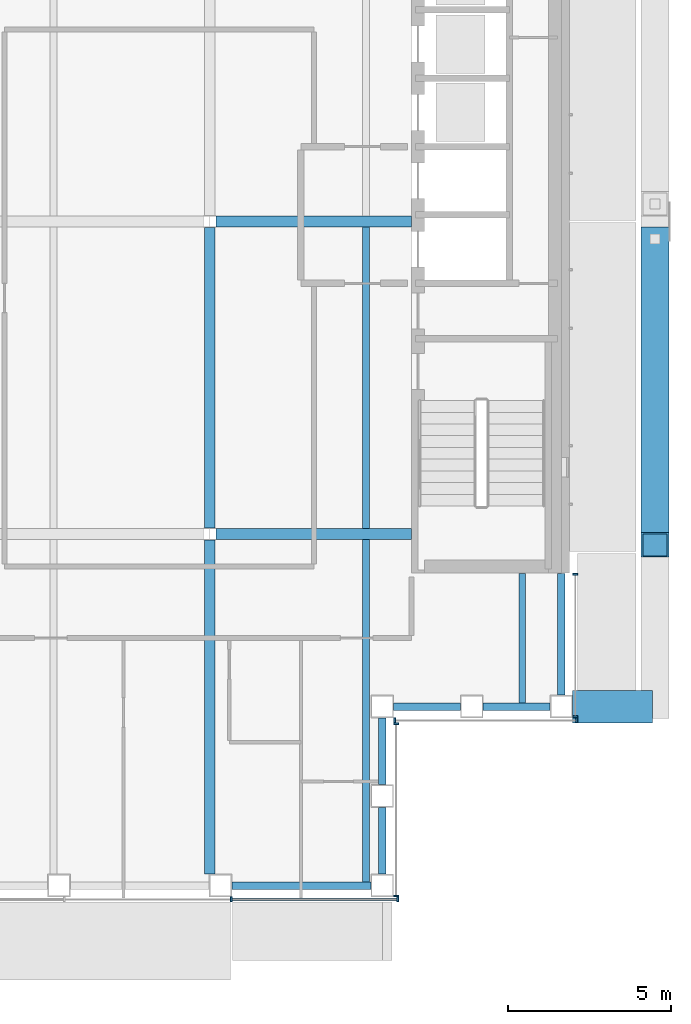
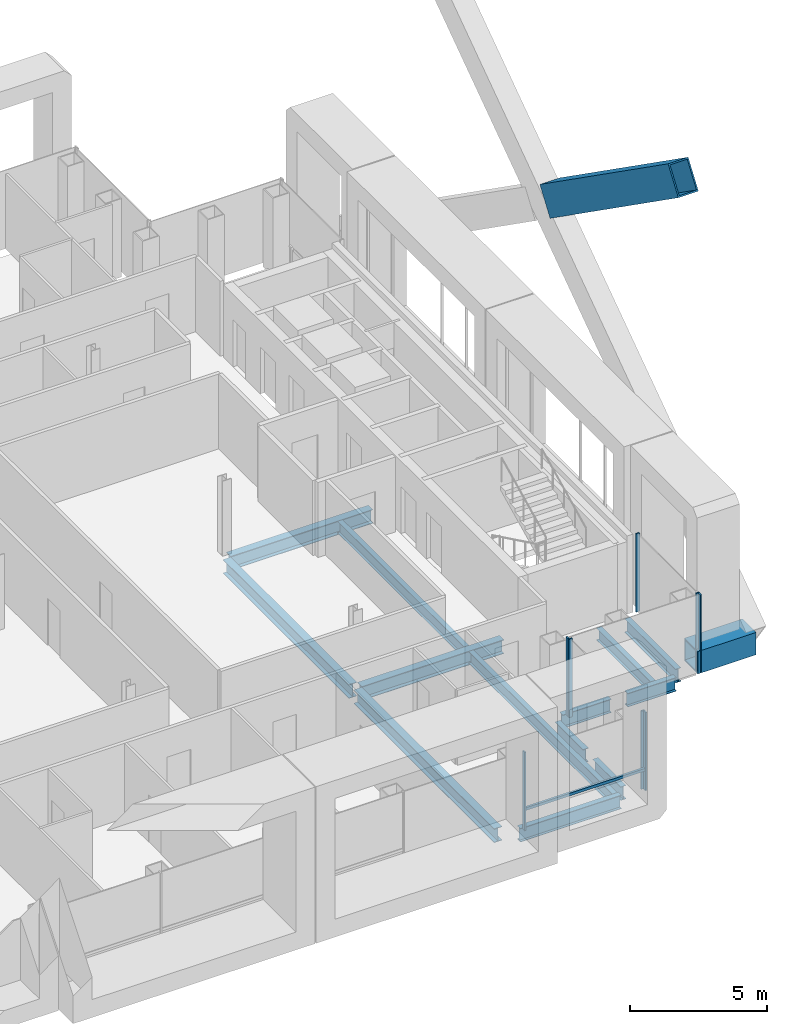
# One storey, part 6 of 21: 14 beams, 10 members, 4 elements without a shape of their own.
"""IFC4 building model written with IfcOpenShell, lengths in metres."""

import ifcopenshell
import ifcopenshell.guid

model = None  # the IFC model being written
_history = None  # IfcOwnerHistory: only IFC2X3 demands one
_inside = {}  # id of a spatial element -> (the spatial element, [elements in it])
_under = {}  # id of a project, library or spatial element -> (it, [spatial elements below it])
_declared = {}  # id of a project -> (the project, [libraries it declares])
_typed = {}  # id of a type object -> (the type object, [elements of that type])
_made_of = {}  # id of a material, layer set ... -> (it, [elements and type objects made of it])


def new_model(schema):
    """Start an empty IFC model of exactly this schema.

    Asked for "IFC4X3", IfcOpenShell would pick the latest addendum, in which some entities
    have other attributes; the version numbers below select the first issue.
    IFC2X3 requires an IfcOwnerHistory on every rooted entity: one is made here for all.
    """
    global model, _history
    if schema == "IFC4X3":
        model = ifcopenshell.file(schema_version=(4, 3, 0, 0))
    else:
        model = ifcopenshell.file(schema=schema)
    _inside.clear()
    _under.clear()
    _declared.clear()
    _typed.clear()
    _made_of.clear()
    _history = None
    if model.schema == "IFC2X3":
        org = make("IfcOrganization", Name="unknown")
        user = make(
            "IfcPersonAndOrganization",
            ThePerson=make("IfcPerson", FamilyName="unknown"),
            TheOrganization=org,
        )
        app = make(
            "IfcApplication",
            ApplicationDeveloper=org,
            Version="unknown",
            ApplicationFullName="unknown",
            ApplicationIdentifier="unknown",
        )
        _history = make(
            "IfcOwnerHistory",
            OwningUser=user,
            OwningApplication=app,
            ChangeAction="ADDED",
            CreationDate=0,
        )
    return model


def make(cls, **values):
    """One entity of the class cls with the attributes given. An attribute that is None is left unset."""
    return model.create_entity(
        cls, **{name: value for name, value in values.items() if value is not None}
    )


def rooted(cls, **values):
    """An entity with a GlobalId (a new one), such as an element, a storey or a relation."""
    return make(cls, GlobalId=ifcopenshell.guid.new(), OwnerHistory=_history, **values)


def si_unit(unit_type, name, prefix=None):
    """IfcSIUnit, for example si_unit("LENGTHUNIT", "METRE", prefix="MILLI")."""
    return make("IfcSIUnit", UnitType=unit_type, Prefix=prefix, Name=name)


def assignment(units):
    """IfcUnitAssignment: the units of a project."""
    return None if units is None else make("IfcUnitAssignment", Units=units)


def point(xyz):
    """IfcCartesianPoint."""
    return None if xyz is None else make("IfcCartesianPoint", Coordinates=xyz)


def direction(xyz):
    """IfcDirection."""
    return None if xyz is None else make("IfcDirection", DirectionRatios=xyz)


def frame(location, z_axis=None, x_axis=None):
    """IfcAxis2Placement3D, a coordinate frame: its origin and axes. An axis left out is left unset."""
    return make(
        "IfcAxis2Placement3D",
        Location=point(location),
        Axis=direction(z_axis),
        RefDirection=direction(x_axis),
    )


def frame_2d(location, x_axis=None):
    """IfcAxis2Placement2D, a coordinate frame in the plane: its origin and x axis."""
    return make(
        "IfcAxis2Placement2D", Location=point(location), RefDirection=direction(x_axis)
    )


def origin():
    """The frame at (0, 0, 0) with its axes left unset."""
    return frame((0.0, 0.0, 0.0))


def origin_2d():
    """The frame at (0, 0) in the plane with its x axis left unset."""
    return frame_2d((0.0, 0.0))


def place(relative_to, where):
    """IfcLocalPlacement: puts the frame where relative to a parent placement (None: the world)."""
    return make(
        "IfcLocalPlacement", PlacementRelTo=relative_to, RelativePlacement=where
    )


def context(
    kind, dimensions, precision=None, world=None, true_north=None, identifier=None
):
    """IfcGeometricRepresentationContext, for example the 3D "Model" context."""
    return make(
        "IfcGeometricRepresentationContext",
        ContextIdentifier=identifier,
        ContextType=kind,
        CoordinateSpaceDimension=dimensions,
        Precision=precision,
        WorldCoordinateSystem=world,
        TrueNorth=true_north,
    )


def subcontext(parent, identifier, kind, view, scale=None):
    """IfcGeometricRepresentationSubContext, for example "Body" below "Model"."""
    return make(
        "IfcGeometricRepresentationSubContext",
        ContextIdentifier=identifier,
        ContextType=kind,
        ParentContext=parent,
        TargetScale=scale,
        TargetView=view,
    )


def project(units=None, contexts=None):
    """IfcProject with its units and contexts."""
    return rooted(
        "IfcProject",
        Name="project",
        RepresentationContexts=contexts,
        UnitsInContext=assignment(units),
    )


def spatial(cls, under=None, at=None, **own):
    """A site, building, storey or space (cls), placed at a placement, below another one or the project."""
    s = rooted(cls, ObjectPlacement=at, **own)
    if under is not None:
        _under.setdefault(under.id(), (under, []))[1].append(s)
    return s


def profile(cls, at=None, kind="AREA", **sizes):
    """A parametric profile (cls). Its sizes go by their IFC names, for example OverallWidth=200.0."""
    return make(cls, ProfileType=kind, Position=at, **sizes)


def rectangle(**sizes):
    """IfcRectangleProfileDef."""
    return profile("IfcRectangleProfileDef", **sizes)


def hollow_rectangle(**sizes):
    """IfcRectangleHollowProfileDef."""
    return profile("IfcRectangleHollowProfileDef", **sizes)


def i_section(**sizes):
    """IfcIShapeProfileDef."""
    return profile("IfcIShapeProfileDef", **sizes)


def extrude(swept, where, along, depth):
    """IfcExtrudedAreaSolid: the profile swept, set in the frame where, extruded along a direction by depth."""
    return make(
        "IfcExtrudedAreaSolid",
        SweptArea=swept,
        Position=where,
        ExtrudedDirection=direction(along),
        Depth=depth,
    )


def shape(context_of_items, identifier, shape_type, items):
    """IfcShapeRepresentation: the items that make up one representation, for example the "Body"."""
    return make(
        "IfcShapeRepresentation",
        ContextOfItems=context_of_items,
        RepresentationIdentifier=identifier,
        RepresentationType=shape_type,
        Items=items,
    )


def material(Name=None, Category=None):
    """IfcMaterial."""
    return make("IfcMaterial", Name=Name, Category=Category)


def material_profile(
    of_material, cross_section, Name=None, Category=None, Priority=None
):
    """IfcMaterialProfile: a cross section and its material."""
    return make(
        "IfcMaterialProfile",
        Name=Name,
        Material=of_material,
        Profile=cross_section,
        Priority=Priority,
        Category=Category,
    )


def profile_set(profiles, Name=None, composite=None):
    """IfcMaterialProfileSet."""
    return make(
        "IfcMaterialProfileSet",
        Name=Name,
        MaterialProfiles=profiles,
        CompositeProfile=composite,
    )


def made_of(thing, what):
    """Note that an element or type object is made of a material, layer set ...; save() writes the relation."""
    if what is not None:
        _made_of.setdefault(what.id(), (what, []))[1].append(thing)
    return thing


def type_object(cls, material=None, **own):
    """A type object (cls), such as IfcWallType, which elements share."""
    return made_of(rooted(cls, **own), material)


def element(
    cls,
    number,
    at=None,
    inside=None,
    cuts=None,
    type_object=None,
    material=None,
    context=None,
    identifier="Body",
    shape_type=None,
    held_by="IfcProductDefinitionShape",
    body=None,
    shapes=None,
    **own,
):
    """One element of the class cls, such as IfcWall. Its Tag is "e" and its number.

    at: its placement. inside: the storey or other place that contains it. cuts: it is an
    opening in that element (IfcRelVoidsElement). A single representation is given by context,
    identifier, shape_type and body (its items); several are given by shapes. held_by: the class
    of the entity that holds the representations. save() writes the other relations.
    """
    e = rooted(cls, Tag="e%d" % number, ObjectPlacement=at, **own)
    if body is not None:
        shapes = [shape(context, identifier, shape_type, body)]
    if shapes is not None:
        e.Representation = make(held_by, Representations=shapes)
    if inside is not None:
        _inside.setdefault(inside.id(), (inside, []))[1].append(e)
    if cuts is not None:
        rooted(
            "IfcRelVoidsElement", RelatingBuildingElement=cuts, RelatedOpeningElement=e
        )
    if type_object is not None:
        _typed.setdefault(type_object.id(), (type_object, []))[1].append(e)
    return made_of(e, material)


def aggregate(whole, parts):
    """IfcRelAggregates: a whole, such as a stair, and the parts it consists of."""
    return rooted("IfcRelAggregates", RelatingObject=whole, RelatedObjects=parts)


def save(model, path):
    """Write the relations noted so far, then the file.

    IfcRelAggregates (storeys below a building ...), IfcRelContainedInSpatialStructure (elements
    in a storey), IfcRelDefinesByType, IfcRelAssociatesMaterial and IfcRelDeclares: one each for
    every whole, place, type object, material and project.
    """
    for whole, parts in _under.values():
        aggregate(whole, parts)
    for where, things in _inside.values():
        rooted(
            "IfcRelContainedInSpatialStructure",
            RelatedElements=things,
            RelatingStructure=where,
        )
    for kind, things in _typed.values():
        rooted("IfcRelDefinesByType", RelatedObjects=things, RelatingType=kind)
    for what, things in _made_of.values():
        rooted("IfcRelAssociatesMaterial", RelatedObjects=things, RelatingMaterial=what)
    for by, libraries in _declared.values():
        rooted("IfcRelDeclares", RelatingContext=by, RelatedDefinitions=libraries)
    model.write(path)


model = new_model("IFC4")

# Units and contexts
model_context = context("Model", 3, precision=1e-05, world=origin(), true_north=direction((0.0, 1.0)))
body_context = subcontext(model_context, "Body", "Model", "MODEL_VIEW")
ifc_project = project(units=[si_unit("LENGTHUNIT", "METRE"), si_unit("AREAUNIT", "SQUARE_METRE"), si_unit("VOLUMEUNIT", "CUBIC_METRE"), si_unit("PLANEANGLEUNIT", "RADIAN"), si_unit("MASSUNIT", "GRAM", prefix="KILO")], contexts=[model_context])

# Site, building, storey
site_placement = place(None, origin())
site = spatial("IfcSite", under=ifc_project, at=site_placement, CompositionType="ELEMENT")
building_placement = place(site_placement, origin())
building = spatial("IfcBuilding", under=site, at=building_placement, Name="Cobrizo Arcos Hotel Tower", CompositionType="ELEMENT")
storey_placement = place(building_placement, frame((0.0, 0.0, 212.0)))
storey = spatial("IfcBuildingStorey", under=building, at=storey_placement, Name="L55", CompositionType="ELEMENT", Elevation=212.0)

# Beam
ifc_material_1 = material(Name="Steel ASTM A572 Grade 50", Category="steel")
ifc_material_profile_1 = material_profile(ifc_material_1, hollow_rectangle(XDim=1.0, YDim=1.0, WallThickness=0.06005859375, at=origin_2d()), Name="BOX 1000X1000X60")
ifc_profile_set_1 = profile_set([ifc_material_profile_1], Name="Steel ASTM A572 Grade 50")
beam_type_1 = type_object("IfcBeamType", Name="BOX 1000X1000X60 brace connector strut", PredefinedType="BEAM", material=ifc_profile_set_1)
beam_1_placement = place(storey_placement, frame((20.739990234375, -14.89990234375, 0.5), z_axis=(1.0, 0.0, 0.0), x_axis=(0.0, 1.0, 0.0)))
element("IfcBeam", 1, at=beam_1_placement, inside=storey, type_object=beam_type_1, Name="Perimeter brace stub BS1, zone Z4, east face, offset -14.90 m, L55", PredefinedType="BEAM", context=body_context, shape_type="SweptSolid", body=[
    extrude(hollow_rectangle(XDim=1.0, YDim=1.0, WallThickness=0.06005859375, at=origin_2d()), origin(), (0.0, 0.0, 1.0), 2.455078125),
])

# Member
ifc_material_profile_2 = material_profile(ifc_material_1, hollow_rectangle(XDim=0.85009765625, YDim=1.300048828125, WallThickness=0.06005859375, at=origin_2d()), Name="BOX 850X1300X60")
ifc_profile_set_2 = profile_set([ifc_material_profile_2], Name="Steel ASTM A572 Grade 50")
member_type_1 = type_object("IfcMemberType", Name="BOX 850X1300X60 perimeter brace", PredefinedType="BRACE", material=ifc_profile_set_2)
member_1_placement = place(storey_placement, frame((23.27490234375, -0.539794921875, 11.38037109375), z_axis=(0.0, -0.817423321181, 0.576037424122), x_axis=(1.0, 0.0, 0.0)))
element("IfcMember", 2, at=member_1_placement, inside=storey, type_object=member_type_1, Name="Perimeter brace PBR4, zone Z4, east face, no. 03b", PredefinedType="BRACE", context=body_context, shape_type="SweptSolid", body=[
    extrude(hollow_rectangle(XDim=0.85009765625, YDim=1.300048828125, WallThickness=0.06005859375, at=origin_2d()), origin(), (0.0, 0.0, 1.0), 11.49169921875),
])

# Curtain wall, members
ifc_material_2 = material(Name="Aluminium 6063-T6 anodised bronze", Category="aluminium")
curtain_wall_type = type_object("IfcCurtainWallType", Name="CW-A guest facade", PredefinedType="NOTDEFINED", material=ifc_material_2)
curtain_wall_1_placement = place(storey_placement, origin())
curtain_wall_1 = element("IfcCurtainWall", 3, at=curtain_wall_1_placement, inside=storey, type_object=curtain_wall_type, Name="CW-A L55 S face", PredefinedType="NOTDEFINED")
ifc_material_profile_3 = material_profile(ifc_material_2, rectangle(XDim=0.14990234375, YDim=0.06005859375, at=origin_2d()), Name="CW-A mullion 150x60")
ifc_profile_set_3 = profile_set([ifc_material_profile_3], Name="Aluminium 6063-T6 anodised bronze")
member_type_2 = type_object("IfcMemberType", Name="CW-A mullion 150x60", PredefinedType="MULLION", material=ifc_profile_set_3)
member_2_placement = place(storey_placement, frame((10.2666015625, -20.824951171875, 0.0), z_axis=(0.0, 0.0, 1.0), x_axis=(0.0, -1.0, 0.0)))
member_2 = element("IfcMember", 4, at=member_2_placement, type_object=member_type_2, Name="CW-A mullion 6", PredefinedType="MULLION", context=body_context, shape_type="SweptSolid", body=[
    extrude(rectangle(XDim=0.14990234375, YDim=0.06005859375, at=origin_2d()), origin(), (0.0, 0.0, 1.0), 3.5),
])
member_3_placement = place(storey_placement, frame((15.3701171875, -20.824951171875, 0.0), z_axis=(0.0, 0.0, 1.0), x_axis=(0.0, -1.0, 0.0)))
member_3 = element("IfcMember", 5, at=member_3_placement, type_object=member_type_2, Name="CW-A mullion 7", PredefinedType="MULLION", context=body_context, shape_type="SweptSolid", body=[
    extrude(rectangle(XDim=0.14990234375, YDim=0.06005859375, at=origin_2d()), origin(), (0.0, 0.0, 1.0), 3.5),
])

curtain_wall_2_placement = place(storey_placement, origin())
curtain_wall_2 = element("IfcCurtainWall", 6, at=curtain_wall_2_placement, inside=storey, type_object=curtain_wall_type, Name="CW-A L55 E face", PredefinedType="NOTDEFINED")
member_4_placement = place(storey_placement, frame((15.324951171875, -20.719970703125, 0.0), z_axis=(0.0, 0.0, 1.0), x_axis=(1.0, 0.0, 0.0)))
member_4 = element("IfcMember", 7, at=member_4_placement, type_object=member_type_2, Name="CW-A mullion 1", PredefinedType="MULLION", context=body_context, shape_type="SweptSolid", body=[
    extrude(rectangle(XDim=0.14990234375, YDim=0.06005859375, at=origin_2d()), origin(), (0.0, 0.0, 1.0), 3.5),
])
member_5_placement = place(storey_placement, frame((15.324951171875, -15.429931640625, 0.0), z_axis=(0.0, 0.0, 1.0), x_axis=(1.0, 0.0, 0.0)))
member_5 = element("IfcMember", 8, at=member_5_placement, type_object=member_type_2, Name="CW-A mullion 2", PredefinedType="MULLION", context=body_context, shape_type="SweptSolid", body=[
    extrude(rectangle(XDim=0.14990234375, YDim=0.06005859375, at=origin_2d()), origin(), (0.0, 0.0, 1.0), 3.5),
])
aggregate(curtain_wall_2, [member_4, member_5])

curtain_wall_3_placement = place(storey_placement, origin())
curtain_wall_3 = element("IfcCurtainWall", 9, at=curtain_wall_3_placement, inside=storey, type_object=curtain_wall_type, Name="CW-A L55 S face", PredefinedType="NOTDEFINED")
member_6_placement = place(storey_placement, frame((15.280029296875, -15.324951171875, 0.0), z_axis=(0.0, 0.0, 1.0), x_axis=(0.0, -1.0, 0.0)))
member_6 = element("IfcMember", 10, at=member_6_placement, type_object=member_type_2, Name="CW-A mullion 1", PredefinedType="MULLION", context=body_context, shape_type="SweptSolid", body=[
    extrude(rectangle(XDim=0.14990234375, YDim=0.06005859375, at=origin_2d()), origin(), (0.0, 0.0, 1.0), 3.5),
])
member_7_placement = place(storey_placement, frame((20.8701171875, -15.324951171875, 0.0), z_axis=(0.0, 0.0, 1.0), x_axis=(0.0, -1.0, 0.0)))
member_7 = element("IfcMember", 11, at=member_7_placement, type_object=member_type_2, Name="CW-A mullion 2", PredefinedType="MULLION", context=body_context, shape_type="SweptSolid", body=[
    extrude(rectangle(XDim=0.14990234375, YDim=0.06005859375, at=origin_2d()), origin(), (0.0, 0.0, 1.0), 3.5),
])
aggregate(curtain_wall_3, [member_6, member_7])

curtain_wall_4_placement = place(storey_placement, origin())
curtain_wall_4 = element("IfcCurtainWall", 12, at=curtain_wall_4_placement, inside=storey, type_object=curtain_wall_type, Name="CW-A L55 E face", PredefinedType="NOTDEFINED")
member_8_placement = place(storey_placement, frame((20.824951171875, -15.219970703125, 0.0), z_axis=(0.0, 0.0, 1.0), x_axis=(1.0, 0.0, 0.0)))
member_8 = element("IfcMember", 13, at=member_8_placement, type_object=member_type_2, Name="CW-A mullion 1", PredefinedType="MULLION", context=body_context, shape_type="SweptSolid", body=[
    extrude(rectangle(XDim=0.14990234375, YDim=0.06005859375, at=origin_2d()), origin(), (0.0, 0.0, 1.0), 3.5),
])
member_9_placement = place(storey_placement, frame((20.824951171875, -10.830078125, 0.0), z_axis=(0.0, 0.0, 1.0), x_axis=(1.0, 0.0, 0.0)))
member_9 = element("IfcMember", 14, at=member_9_placement, type_object=member_type_2, Name="CW-A mullion 2", PredefinedType="MULLION", context=body_context, shape_type="SweptSolid", body=[
    extrude(rectangle(XDim=0.14990234375, YDim=0.06005859375, at=origin_2d()), origin(), (0.0, 0.0, 1.0), 3.5),
])
aggregate(curtain_wall_4, [member_8, member_9])

# Member
ifc_material_profile_4 = material_profile(ifc_material_2, rectangle(XDim=0.10009765625, YDim=0.1201171875, at=origin_2d()), Name="CW-A transom 120x100")
ifc_profile_set_4 = profile_set([ifc_material_profile_4], Name="Aluminium 6063-T6 anodised bronze")
member_type_3 = type_object("IfcMemberType", Name="CW-A transom 120x100", PredefinedType="USERDEFINED", material=ifc_profile_set_4)
member_10_placement = place(storey_placement, frame((10.296630859375, -20.824951171875, 0.929931640625), z_axis=(1.0, 0.0, 0.0), x_axis=(0.0, 1.0, 0.0)))
member_10 = element("IfcMember", 15, at=member_10_placement, type_object=member_type_3, Name="CW-A transom 1845", ObjectType="TRANSOM", PredefinedType="USERDEFINED", context=body_context, shape_type="SweptSolid", body=[
    extrude(rectangle(XDim=0.10009765625, YDim=0.1201171875, at=origin_2d()), origin(), (0.0, 0.0, 1.0), 5.04345703125),
])

aggregate(curtain_wall_1, [member_2, member_3, member_10])

# Beams
ifc_material_3 = material(Name="Steel ASTM A992 Grade 50", Category="steel")
ifc_material_profile_5 = material_profile(ifc_material_3, i_section(OverallWidth=0.209228515625, OverallDepth=0.533447265625, WebThickness=0.01025390625, FlangeThickness=0.015625, at=origin_2d()), Name="W21X62")
ifc_profile_set_5 = profile_set([ifc_material_profile_5], Name="Steel ASTM A992 Grade 50")
beam_type_2 = type_object("IfcBeamType", Name="W21X62 joist", PredefinedType="JOIST", material=ifc_profile_set_5)
beam_2_placement = place(storey_placement, frame((14.39990234375, -20.31005859375, -0.416748046875), z_axis=(0.0, 1.0, 0.0), x_axis=(-1.0, 0.0, 0.0)))
element("IfcBeam", 16, at=beam_2_placement, inside=storey, type_object=beam_type_2, Name="Floor joist J1, L55, no. 015", PredefinedType="JOIST", context=body_context, shape_type="SweptSolid", body=[
    extrude(i_section(OverallWidth=0.209228515625, OverallDepth=0.533447265625, WebThickness=0.01025390625, FlangeThickness=0.015625, at=origin_2d()), origin(), (0.0, 0.0, 1.0), 10.546142578125),
])
beam_3_placement = place(storey_placement, frame((14.39990234375, -9.43603515625, -0.416748046875), z_axis=(0.0, 1.0, 0.0), x_axis=(-1.0, 0.0, 0.0)))
element("IfcBeam", 17, at=beam_3_placement, inside=storey, type_object=beam_type_2, Name="Floor joist J1, L55, no. 016", PredefinedType="JOIST", context=body_context, shape_type="SweptSolid", body=[
    extrude(i_section(OverallWidth=0.209228515625, OverallDepth=0.533447265625, WebThickness=0.01025390625, FlangeThickness=0.015625, at=origin_2d()), origin(), (0.0, 0.0, 1.0), 9.272216796875),
])
beam_4_placement = place(storey_placement, frame((19.199951171875, -14.81005859375, -0.416748046875), z_axis=(0.0, 1.0, 0.0), x_axis=(-1.0, 0.0, 0.0)))
element("IfcBeam", 18, at=beam_4_placement, inside=storey, type_object=beam_type_2, Name="Floor joist J1, L55, no. 019", PredefinedType="JOIST", context=body_context, shape_type="SweptSolid", body=[
    extrude(i_section(OverallWidth=0.209228515625, OverallDepth=0.533447265625, WebThickness=0.01025390625, FlangeThickness=0.015625, at=origin_2d()), origin(), (0.0, 0.0, 1.0), 4.0),
])
ifc_material_profile_6 = material_profile(ifc_material_3, i_section(OverallWidth=0.32763671875, OverallDepth=0.622314453125, WebThickness=0.015380859375, FlangeThickness=0.0244140625, at=origin_2d()), Name="W24X131")
ifc_profile_set_6 = profile_set([ifc_material_profile_6], Name="Steel ASTM A992 Grade 50")
beam_type_3 = type_object("IfcBeamType", Name="W24X131 girder", PredefinedType="BEAM", material=ifc_profile_set_6)
for number, where, z_axis, x_axis, name in (
    (19, (9.78662109375, -9.60009765625, -0.461181640625), (1.0, 0.0, 0.0), (0.0, 1.0, 0.0), "Floor girder G1, L55, no. 004"),
    (20, (9.78662109375, 0.0, -0.461181640625), (1.0, 0.0, 0.0), (0.0, 1.0, 0.0), "Floor girder G1, L55, no. 008"),
):
    element("IfcBeam", number, at=place(storey_placement, frame(where, z_axis=z_axis, x_axis=x_axis)), inside=storey, type_object=beam_type_3, Name=name, PredefinedType="BEAM", context=body_context, shape_type="SweptSolid", body=[
        extrude(i_section(OverallWidth=0.32763671875, OverallDepth=0.622314453125, WebThickness=0.015380859375, FlangeThickness=0.0244140625, at=origin_2d()), origin(), (0.0, 0.0, 1.0), 6.00341796875),
    ])
beam_5_placement = place(storey_placement, frame((9.60009765625, -20.050048828125, -0.461181640625), z_axis=(0.0, 1.0, 0.0), x_axis=(-1.0, 0.0, 0.0)))
element("IfcBeam", 21, at=beam_5_placement, inside=storey, type_object=beam_type_3, Name="Floor girder G1, L55, no. 021", PredefinedType="BEAM", context=body_context, shape_type="SweptSolid", body=[
    extrude(i_section(OverallWidth=0.32763671875, OverallDepth=0.622314453125, WebThickness=0.015380859375, FlangeThickness=0.0244140625, at=origin_2d()), origin(), (0.0, 0.0, 1.0), 10.263427734375),
])
beam_6_placement = place(storey_placement, frame((9.60009765625, -9.413330078125, -0.461181640625), z_axis=(0.0, 1.0, 0.0), x_axis=(-1.0, 0.0, 0.0)))
element("IfcBeam", 22, at=beam_6_placement, inside=storey, type_object=beam_type_3, Name="Floor girder G1, L55, no. 022", PredefinedType="BEAM", context=body_context, shape_type="SweptSolid", body=[
    extrude(i_section(OverallWidth=0.32763671875, OverallDepth=0.622314453125, WebThickness=0.015380859375, FlangeThickness=0.0244140625, at=origin_2d()), origin(), (0.0, 0.0, 1.0), 9.2265625),
])
ifc_material_profile_7 = material_profile(ifc_material_3, i_section(OverallWidth=0.228271484375, OverallDepth=0.607177734375, WebThickness=0.01123046875, FlangeThickness=0.017333984375, at=origin_2d()), Name="W24X76")
ifc_profile_set_7 = profile_set([ifc_material_profile_7], Name="Steel ASTM A992 Grade 50")
beam_type_4 = type_object("IfcBeamType", Name="W24X76 spandrel", PredefinedType="SPANDREL", material=ifc_profile_set_7)
beam_7_placement = place(storey_placement, frame((10.282958984375, -20.39990234375, -0.45361328125), z_axis=(1.0, 0.0, 0.0), x_axis=(0.0, 1.0, 0.0)))
element("IfcBeam", 23, at=beam_7_placement, inside=storey, type_object=beam_type_4, Name="Spandrel beam W24X76, L55, no. 006", PredefinedType="SPANDREL", context=body_context, shape_type="SweptSolid", body=[
    extrude(i_section(OverallWidth=0.228271484375, OverallDepth=0.607177734375, WebThickness=0.01123046875, FlangeThickness=0.017333984375, at=origin_2d()), origin(), (0.0, 0.0, 1.0), 4.26708984375),
])
for number, where, z_axis, x_axis, name in (
    (24, (14.89990234375, -20.050048828125, -0.45361328125), (0.0, 1.0, 0.0), (-1.0, 0.0, 0.0), "Spandrel beam W24X76, L55, no. 007"),
    (25, (14.89990234375, -17.300048828125, -0.45361328125), (0.0, 1.0, 0.0), (-1.0, 0.0, 0.0), "Spandrel beam W24X76, L55, no. 008"),
    (26, (15.25, -14.89990234375, -0.45361328125), (1.0, 0.0, 0.0), (0.0, 1.0, 0.0), "Spandrel beam W24X76, L55, no. 009"),
    (27, (18.0, -14.89990234375, -0.45361328125), (1.0, 0.0, 0.0), (0.0, 1.0, 0.0), "Spandrel beam W24X76, L55, no. 010"),
):
    element("IfcBeam", number, at=place(storey_placement, frame(where, z_axis=z_axis, x_axis=x_axis)), inside=storey, type_object=beam_type_4, Name=name, PredefinedType="SPANDREL", context=body_context, shape_type="SweptSolid", body=[
        extrude(i_section(OverallWidth=0.228271484375, OverallDepth=0.607177734375, WebThickness=0.01123046875, FlangeThickness=0.017333984375, at=origin_2d()), origin(), (0.0, 0.0, 1.0), 2.050048828125),
    ])
beam_8_placement = place(storey_placement, frame((20.39990234375, -14.550048828125, -0.45361328125), z_axis=(0.0, 1.0, 0.0), x_axis=(-1.0, 0.0, 0.0)))
element("IfcBeam", 28, at=beam_8_placement, inside=storey, type_object=beam_type_4, Name="Spandrel beam W24X76, L55, no. 011", PredefinedType="SPANDREL", context=body_context, shape_type="SweptSolid", body=[
    extrude(i_section(OverallWidth=0.228271484375, OverallDepth=0.607177734375, WebThickness=0.01123046875, FlangeThickness=0.017333984375, at=origin_2d()), origin(), (0.0, 0.0, 1.0), 3.739990234375),
])

save(model, "model.ifc")
